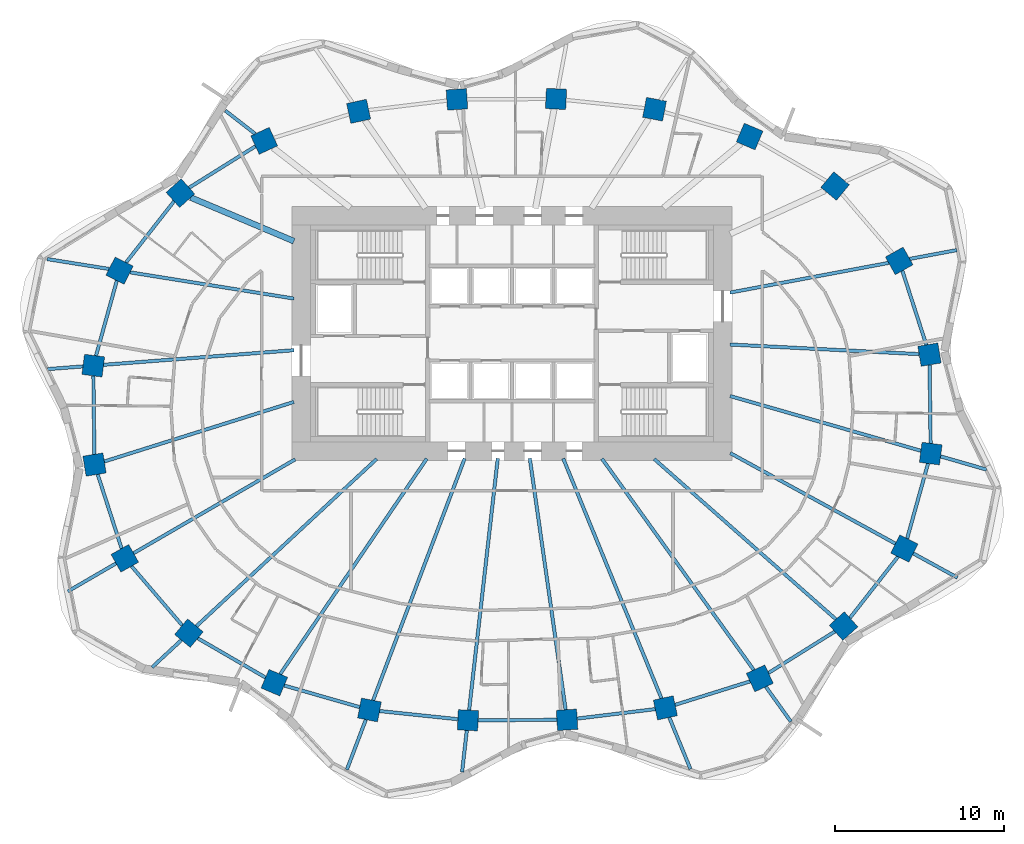
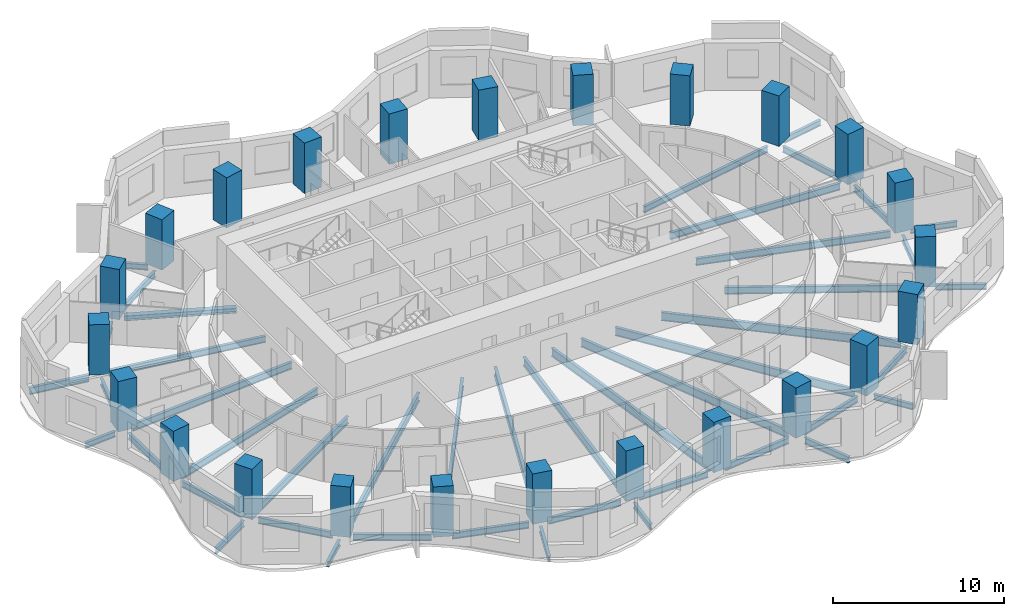
# One storey, part 1 of 10: 46 beams, 24 columns.
"""IFC4 building model written with IfcOpenShell, lengths in metres."""

from ifc_helpers import new_model, si_unit, direction, frame, origin, origin_2d, place, context, subcontext, project, spatial, rectangle, i_section, extrude, material, material_profile, profile_set, type_object, element, save


model = new_model("IFC4")

# Units and contexts
model_context = context("Model", 3, precision=1e-05, world=origin(), true_north=direction((0.0, 1.0)))
body_context = subcontext(model_context, "Body", "Model", "MODEL_VIEW")
ifc_project = project(units=[si_unit("LENGTHUNIT", "METRE"), si_unit("AREAUNIT", "SQUARE_METRE"), si_unit("VOLUMEUNIT", "CUBIC_METRE"), si_unit("PLANEANGLEUNIT", "RADIAN"), si_unit("MASSUNIT", "GRAM", prefix="KILO")], contexts=[model_context])

# Site, building, storey
site_placement = place(None, origin())
site = spatial("IfcSite", under=ifc_project, at=site_placement, CompositionType="ELEMENT")
building_placement = place(site_placement, origin())
building = spatial("IfcBuilding", under=site, at=building_placement, Name="Rubra Terraces Tower", CompositionType="ELEMENT")
storey_placement = place(building_placement, frame((0.0, 0.0, 96.0)))
storey = spatial("IfcBuildingStorey", under=building, at=storey_placement, Name="L22", CompositionType="ELEMENT", Elevation=96.0)

# Columns
ifc_material_1 = material(Name="Concrete C60", Category="concrete")
ifc_material_profile_1 = material_profile(ifc_material_1, rectangle(XDim=1.199951171875, YDim=1.199951171875, at=origin_2d()), Name="RC 1200x1200")
ifc_profile_set_1 = profile_set([ifc_material_profile_1], Name="Concrete C60")
column_type = type_object("IfcColumnType", Name="RING COLUMN RC 1200x1200 C60", PredefinedType="COLUMN", material=ifc_profile_set_1)
for number, where, z_axis, x_axis, name in (
    (1, (24.6689453125, 3.248046875, 0.0), (0.0, 0.0, 1.0), (-0.161559167715, 0.986863027642, 0.0), "column-L22-ring-01"),
    (2, (22.87890625, 8.787109375, 0.0), (0.0, 0.0, 1.0), (-0.48852601316, 0.872549330678, 0.0), "column-L22-ring-02"),
    (3, (19.092041015625, 13.208984375, 0.0), (0.0, 0.0, 1.0), (-0.76886986222, 0.63940529789, 0.0), "column-L22-ring-03"),
    (4, (14.0419921875, 16.135986328125, 0.0), (0.0, 0.0, 1.0), (-0.920167856842, 0.391524092789, 0.0), "column-L22-ring-04"),
    (5, (8.422119140625, 17.7490234375, 0.0), (0.0, 0.0, 1.0), (-0.981654668733, 0.19066754143, 0.0), "column-L22-ring-05"),
    (6, (2.60205078125, 18.35791015625, 0.0), (0.0, 0.0, 1.0), (-0.998764256028, 0.049698700995, 0.0), "column-L22-ring-06"),
    (7, (-3.25390625, 18.330078125, 0.0), (0.0, 0.0, 1.0), (-0.998031548759, -0.062713855578, 0.0), "column-L22-ring-07"),
    (8, (-9.06298828125, 17.625, 0.0), (0.0, 0.0, 1.0), (-0.977652674797, -0.210226657352, 0.0), "column-L22-ring-08"),
    (9, (-14.64306640625, 15.881103515625, 0.0), (0.0, 0.0, 1.0), (-0.908778580451, -0.417278673927, 0.0), "column-L22-ring-09"),
    (10, (-19.593017578125, 12.7900390625, 0.0), (0.0, 0.0, 1.0), (-0.744021317198, -0.668155879683, 0.0), "column-L22-ring-10"),
    (11, (-23.18505859375, 8.2099609375, 0.0), (0.0, 0.0, 1.0), (-0.451027931402, -0.892509834733, 0.0), "column-L22-ring-11"),
    (12, (-24.742919921875, 2.59912109375, 0.0), (0.0, 0.0, 1.0), (-0.128443684554, -0.991716804283, 0.0), "column-L22-ring-12"),
    (13, (-24.6689453125, -3.248046875, 0.0), (0.0, 0.0, 1.0), (0.161559167715, -0.986863027642, 0.0), "column-L22-ring-13"),
    (14, (-22.87890625, -8.787109375, 0.0), (0.0, 0.0, 1.0), (0.48852601316, -0.872549330678, 0.0), "column-L22-ring-14"),
    (15, (-19.092041015625, -13.208984375, 0.0), (0.0, 0.0, 1.0), (0.76886986222, -0.63940529789, 0.0), "column-L22-ring-15"),
    (16, (-14.0419921875, -16.135986328125, 0.0), (0.0, 0.0, 1.0), (0.920167856842, -0.391524092789, 0.0), "column-L22-ring-16"),
    (17, (-8.422119140625, -17.7490234375, 0.0), (0.0, 0.0, 1.0), (0.981654668733, -0.19066754143, 0.0), "column-L22-ring-17"),
    (18, (-2.60205078125, -18.35791015625, 0.0), (0.0, 0.0, 1.0), (0.998764256028, -0.049698700995, 0.0), "column-L22-ring-18"),
    (19, (3.25390625, -18.330078125, 0.0), (0.0, 0.0, 1.0), (0.998031548759, 0.062713855578, 0.0), "column-L22-ring-19"),
    (20, (9.06298828125, -17.625, 0.0), (0.0, 0.0, 1.0), (0.977652674797, 0.210226657352, 0.0), "column-L22-ring-20"),
    (21, (14.64306640625, -15.881103515625, 0.0), (0.0, 0.0, 1.0), (0.908778580451, 0.417278673927, 0.0), "column-L22-ring-21"),
    (22, (19.593017578125, -12.7900390625, 0.0), (0.0, 0.0, 1.0), (0.744021317198, 0.668155879683, 0.0), "column-L22-ring-22"),
    (23, (23.18505859375, -8.2099609375, 0.0), (0.0, 0.0, 1.0), (0.451027931402, 0.892509834733, 0.0), "column-L22-ring-23"),
    (24, (24.742919921875, -2.59912109375, 0.0), (0.0, 0.0, 1.0), (0.128443684554, 0.991716804283, 0.0), "column-L22-ring-24"),
):
    element("IfcColumn", number, at=place(storey_placement, frame(where, z_axis=z_axis, x_axis=x_axis)), inside=storey, type_object=column_type, Name=name, PredefinedType="COLUMN", context=body_context, shape_type="SweptSolid", body=[
        extrude(rectangle(XDim=1.199951171875, YDim=1.199951171875, at=origin_2d()), origin(), (0.0, 0.0, 1.0), 3.60009765625),
    ])

# Beams
ifc_material_2 = material(Name="Steel Q355B", Category="steel")
ifc_material_profile_2 = material_profile(ifc_material_2, i_section(OverallWidth=0.199951171875, OverallDepth=0.39990234375, WebThickness=0.008056640625, FlangeThickness=0.012939453125, at=origin_2d()), Name="HN 400x200x8x13")
ifc_profile_set_2 = profile_set([ifc_material_profile_2], Name="Steel Q355B")
beam_type_1 = type_object("IfcBeamType", Name="CANTILEVER BEAM HN 400x200x8x13", PredefinedType="BEAM", material=ifc_profile_set_2)
beam_1_placement = place(storey_placement, frame((23.5009765625, 8.904052734375, -0.39990234375), z_axis=(0.982900503659, 0.184137448407, 0.0), x_axis=(-0.184137448407, 0.982900503659, 0.0)))
element("IfcBeam", 25, at=beam_1_placement, inside=storey, type_object=beam_type_1, Name="beam-L22-cant-02", PredefinedType="BEAM", context=body_context, shape_type="SweptSolid", body=[
    extrude(i_section(OverallWidth=0.199951171875, OverallDepth=0.39990234375, WebThickness=0.008056640625, FlangeThickness=0.012939453125, at=origin_2d()), origin(), (0.0, 0.0, 1.0), 2.829345703125),
])
beam_2_placement = place(storey_placement, frame((-15.177001953125, 16.2958984375, -0.39990234375), z_axis=(-0.789558697971, 0.613675046306, 0.0), x_axis=(-0.613675046306, -0.789558697971, 0.0)))
element("IfcBeam", 26, at=beam_2_placement, inside=storey, type_object=beam_type_1, Name="beam-L22-cant-09", PredefinedType="BEAM", context=body_context, shape_type="SweptSolid", body=[
    extrude(i_section(OverallWidth=0.199951171875, OverallDepth=0.39990234375, WebThickness=0.008056640625, FlangeThickness=0.012939453125, at=origin_2d()), origin(), (0.0, 0.0, 1.0), 2.227783203125),
])
beam_3_placement = place(storey_placement, frame((-25.35400390625, 2.552001953125, -0.39990234375), z_axis=(-0.997081005005, -0.076350962387, 0.0), x_axis=(0.076350962387, -0.997081005005, 0.0)))
element("IfcBeam", 27, at=beam_3_placement, inside=storey, type_object=beam_type_1, Name="beam-L22-cant-12", PredefinedType="BEAM", context=body_context, shape_type="SweptSolid", body=[
    extrude(i_section(OverallWidth=0.199951171875, OverallDepth=0.39990234375, WebThickness=0.008056640625, FlangeThickness=0.012939453125, at=origin_2d()), origin(), (0.0, 0.0, 1.0), 2.107177734375),
])
beam_4_placement = place(storey_placement, frame((-19.535888671875, -13.6201171875, -0.39990234375), z_axis=(-0.733024491169, -0.680202245914, 0.0), x_axis=(0.680202245914, -0.733024491169, 0.0)))
element("IfcBeam", 28, at=beam_4_placement, inside=storey, type_object=beam_type_1, Name="beam-L22-cant-15", PredefinedType="BEAM", context=body_context, shape_type="SweptSolid", body=[
    extrude(i_section(OverallWidth=0.199951171875, OverallDepth=0.39990234375, WebThickness=0.008056640625, FlangeThickness=0.012939453125, at=origin_2d()), origin(), (0.0, 0.0, 1.0), 2.37109375),
])
beam_5_placement = place(storey_placement, frame((-8.637939453125, -18.318115234375, -0.39990234375), z_axis=(-0.353924982786, -0.935273813682, 0.0), x_axis=(0.935273813682, -0.353924982786, 0.0)))
element("IfcBeam", 29, at=beam_5_placement, inside=storey, type_object=beam_type_1, Name="beam-L22-cant-17", PredefinedType="BEAM", context=body_context, shape_type="SweptSolid", body=[
    extrude(i_section(OverallWidth=0.199951171875, OverallDepth=0.39990234375, WebThickness=0.008056640625, FlangeThickness=0.012939453125, at=origin_2d()), origin(), (0.0, 0.0, 1.0), 3.159423828125),
])
beam_6_placement = place(storey_placement, frame((-2.669921875, -18.955078125, -0.39990234375), z_axis=(-0.112971566193, -0.99359822123, 0.0), x_axis=(0.99359822123, -0.112971566193, 0.0)))
element("IfcBeam", 30, at=beam_6_placement, inside=storey, type_object=beam_type_1, Name="beam-L22-cant-18", PredefinedType="BEAM", context=body_context, shape_type="SweptSolid", body=[
    extrude(i_section(OverallWidth=0.199951171875, OverallDepth=0.39990234375, WebThickness=0.008056640625, FlangeThickness=0.012939453125, at=origin_2d()), origin(), (0.0, 0.0, 1.0), 2.478759765625),
])
beam_7_placement = place(storey_placement, frame((15.0, -16.376953125, -0.39990234375), z_axis=(0.583425401371, -0.812166732288, 0.0), x_axis=(0.812166732288, 0.583425401371, 0.0)))
element("IfcBeam", 31, at=beam_7_placement, inside=storey, type_object=beam_type_1, Name="beam-L22-cant-21", PredefinedType="BEAM", context=body_context, shape_type="SweptSolid", body=[
    extrude(i_section(OverallWidth=0.199951171875, OverallDepth=0.39990234375, WebThickness=0.008056640625, FlangeThickness=0.012939453125, at=origin_2d()), origin(), (0.0, 0.0, 1.0), 2.53173828125),
])
beam_8_placement = place(storey_placement, frame((23.7109375, -8.4990234375, -0.39990234375), z_axis=(0.876950651009, -0.480580436238, 0.0), x_axis=(0.480580436238, 0.876950651009, 0.0)))
element("IfcBeam", 32, at=beam_8_placement, inside=storey, type_object=beam_type_1, Name="beam-L22-cant-23", PredefinedType="BEAM", context=body_context, shape_type="SweptSolid", body=[
    extrude(i_section(OverallWidth=0.199951171875, OverallDepth=0.39990234375, WebThickness=0.008056640625, FlangeThickness=0.012939453125, at=origin_2d()), origin(), (0.0, 0.0, 1.0), 2.9775390625),
])
beam_9_placement = place(storey_placement, frame((25.325927734375, -2.76611328125, -0.39990234375), z_axis=(0.961210097917, -0.275817235977, 0.0), x_axis=(0.275817235977, 0.961210097917, 0.0)))
element("IfcBeam", 33, at=beam_9_placement, inside=storey, type_object=beam_type_1, Name="beam-L22-cant-24", PredefinedType="BEAM", context=body_context, shape_type="SweptSolid", body=[
    extrude(i_section(OverallWidth=0.199951171875, OverallDepth=0.39990234375, WebThickness=0.008056640625, FlangeThickness=0.012939453125, at=origin_2d()), origin(), (0.0, 0.0, 1.0), 2.82373046875),
])
ifc_material_profile_3 = material_profile(ifc_material_2, i_section(OverallWidth=0.198974609375, OverallDepth=0.446044921875, WebThickness=0.008056640625, FlangeThickness=0.011962890625, at=origin_2d()), Name="HN 446x199x8x12")
ifc_profile_set_3 = profile_set([ifc_material_profile_3], Name="Steel Q355B")
beam_type_2 = type_object("IfcBeamType", Name="CANTILEVER BEAM HN 446x199x8x12", PredefinedType="BEAM", material=ifc_profile_set_3)
beam_10_placement = place(storey_placement, frame((-23.39794921875, -9.087890625, -0.423095703125), z_axis=(-0.86464262301, -0.50238743463, 0.0), x_axis=(0.50238743463, -0.86464262301, 0.0)))
element("IfcBeam", 34, at=beam_10_placement, inside=storey, type_object=beam_type_2, Name="beam-L22-cant-14", PredefinedType="BEAM", context=body_context, shape_type="SweptSolid", body=[
    extrude(i_section(OverallWidth=0.198974609375, OverallDepth=0.446044921875, WebThickness=0.008056640625, FlangeThickness=0.011962890625, at=origin_2d()), origin(), (0.0, 0.0, 1.0), 3.29638671875),
])
beam_11_placement = place(storey_placement, frame((9.2939453125, -18.18896484375, -0.423095703125), z_axis=(0.379126606242, -0.925344809484, 0.0), x_axis=(0.925344809484, 0.379126606242, 0.0)))
element("IfcBeam", 35, at=beam_11_placement, inside=storey, type_object=beam_type_2, Name="beam-L22-cant-20", PredefinedType="BEAM", context=body_context, shape_type="SweptSolid", body=[
    extrude(i_section(OverallWidth=0.198974609375, OverallDepth=0.446044921875, WebThickness=0.008056640625, FlangeThickness=0.011962890625, at=origin_2d()), origin(), (0.0, 0.0, 1.0), 3.2919921875),
])
ifc_material_profile_4 = material_profile(ifc_material_2, i_section(OverallWidth=0.198974609375, OverallDepth=0.49609375, WebThickness=0.009033203125, FlangeThickness=0.013916015625, at=origin_2d()), Name="HN 496x199x9x14")
ifc_profile_set_4 = profile_set([ifc_material_profile_4], Name="Steel Q355B")
beam_type_3 = type_object("IfcBeamType", Name="CANTILEVER BEAM HN 496x199x9x14", PredefinedType="BEAM", material=ifc_profile_set_4)
beam_12_placement = place(storey_placement, frame((-23.806884765625, 8.31005859375, -0.447998046875), z_axis=(-0.987475125266, 0.157774766614, 0.0), x_axis=(-0.157774766614, -0.987475125266, 0.0)))
element("IfcBeam", 36, at=beam_12_placement, inside=storey, type_object=beam_type_3, Name="beam-L22-cant-11", PredefinedType="BEAM", context=body_context, shape_type="SweptSolid", body=[
    extrude(i_section(OverallWidth=0.198974609375, OverallDepth=0.49609375, WebThickness=0.009033203125, FlangeThickness=0.013916015625, at=origin_2d()), origin(), (0.0, 0.0, 1.0), 3.70751953125),
])
ifc_material_profile_5 = material_profile(ifc_material_2, i_section(OverallWidth=0.198974609375, OverallDepth=0.446044921875, WebThickness=0.008056640625, FlangeThickness=0.011962890625, at=origin_2d()), Name="HN 446x199x8x12")
ifc_profile_set_5 = profile_set([ifc_material_profile_5], Name="Steel Q355B")
beam_type_4 = type_object("IfcBeamType", Name="FLOOR BEAM HN 446x199x8x12", PredefinedType="BEAM", material=ifc_profile_set_5)
beam_13_placement = place(storey_placement, frame((22.257080078125, 8.669921875, -0.423095703125), z_axis=(-0.982909257943, -0.184090713102, 0.0), x_axis=(0.184090713102, -0.982909257943, 0.0)))
element("IfcBeam", 37, at=beam_13_placement, inside=storey, type_object=beam_type_4, Name="beam-L22-floor-02", PredefinedType="BEAM", context=body_context, shape_type="SweptSolid", body=[
    extrude(i_section(OverallWidth=0.198974609375, OverallDepth=0.446044921875, WebThickness=0.008056640625, FlangeThickness=0.011962890625, at=origin_2d()), origin(), (0.0, 0.0, 1.0), 9.5380859375),
])
beam_14_placement = place(storey_placement, frame((-22.56298828125, 8.110107421875, -0.423095703125), z_axis=(0.987438611706, -0.158003126908, 0.0), x_axis=(0.158003126908, 0.987438611706, 0.0)))
element("IfcBeam", 38, at=beam_14_placement, inside=storey, type_object=beam_type_4, Name="beam-L22-floor-11", PredefinedType="BEAM", context=body_context, shape_type="SweptSolid", body=[
    extrude(i_section(OverallWidth=0.198974609375, OverallDepth=0.446044921875, WebThickness=0.008056640625, FlangeThickness=0.011962890625, at=origin_2d()), origin(), (0.0, 0.0, 1.0), 9.803955078125),
])
ifc_material_profile_6 = material_profile(ifc_material_2, i_section(OverallWidth=0.198974609375, OverallDepth=0.49609375, WebThickness=0.009033203125, FlangeThickness=0.013916015625, at=origin_2d()), Name="HN 496x199x9x14")
ifc_profile_set_6 = profile_set([ifc_material_profile_6], Name="Steel Q355B")
beam_type_5 = type_object("IfcBeamType", Name="FLOOR BEAM HN 496x199x9x14", PredefinedType="BEAM", material=ifc_profile_set_6)
beam_15_placement = place(storey_placement, frame((24.055908203125, 3.279052734375, -0.447998046875), z_axis=(-0.998716006853, 0.050659033312, 0.0), x_axis=(-0.050659033312, -0.998716006853, 0.0)))
element("IfcBeam", 39, at=beam_15_placement, inside=storey, type_object=beam_type_5, Name="beam-L22-floor-01", PredefinedType="BEAM", context=body_context, shape_type="SweptSolid", body=[
    extrude(i_section(OverallWidth=0.198974609375, OverallDepth=0.49609375, WebThickness=0.009033203125, FlangeThickness=0.013916015625, at=origin_2d()), origin(), (0.0, 0.0, 1.0), 11.1904296875),
])
beam_16_placement = place(storey_placement, frame((-24.132080078125, 2.64599609375, -0.447998046875), z_axis=(0.99706491124, 0.076560843604, 0.0), x_axis=(-0.076560843604, 0.99706491124, 0.0)))
element("IfcBeam", 40, at=beam_16_placement, inside=storey, type_object=beam_type_5, Name="beam-L22-floor-12", PredefinedType="BEAM", context=body_context, shape_type="SweptSolid", body=[
    extrude(i_section(OverallWidth=0.198974609375, OverallDepth=0.49609375, WebThickness=0.009033203125, FlangeThickness=0.013916015625, at=origin_2d()), origin(), (0.0, 0.0, 1.0), 11.285400390625),
])
beam_17_placement = place(storey_placement, frame((-24.091064453125, -3.06591796875, -0.447998046875), z_axis=(0.954061815263, 0.299609834046, 0.0), x_axis=(-0.299609834046, 0.954061815263, 0.0)))
element("IfcBeam", 41, at=beam_17_placement, inside=storey, type_object=beam_type_5, Name="beam-L22-floor-13", PredefinedType="BEAM", context=body_context, shape_type="SweptSolid", body=[
    extrude(i_section(OverallWidth=0.198974609375, OverallDepth=0.49609375, WebThickness=0.009033203125, FlangeThickness=0.013916015625, at=origin_2d()), origin(), (0.0, 0.0, 1.0), 11.74462890625),
])
beam_18_placement = place(storey_placement, frame((-22.360107421875, -8.486083984375, -0.447998046875), z_axis=(0.864729170152, 0.502238451623, 0.0), x_axis=(-0.502238451623, 0.864729170152, 0.0)))
element("IfcBeam", 42, at=beam_18_placement, inside=storey, type_object=beam_type_5, Name="beam-L22-floor-14", PredefinedType="BEAM", context=body_context, shape_type="SweptSolid", body=[
    extrude(i_section(OverallWidth=0.198974609375, OverallDepth=0.49609375, WebThickness=0.009033203125, FlangeThickness=0.013916015625, at=origin_2d()), origin(), (0.0, 0.0, 1.0), 11.04296875),
])
beam_19_placement = place(storey_placement, frame((22.658935546875, -7.9208984375, -0.447998046875), z_axis=(-0.876910796921, 0.480653153785, 0.0), x_axis=(-0.480653153785, -0.876910796921, 0.0)))
element("IfcBeam", 43, at=beam_19_placement, inside=storey, type_object=beam_type_5, Name="beam-L22-floor-23", PredefinedType="BEAM", context=body_context, shape_type="SweptSolid", body=[
    extrude(i_section(OverallWidth=0.198974609375, OverallDepth=0.49609375, WebThickness=0.009033203125, FlangeThickness=0.013916015625, at=origin_2d()), origin(), (0.0, 0.0, 1.0), 11.134521484375),
])
beam_20_placement = place(storey_placement, frame((24.159912109375, -2.431884765625, -0.447998046875), z_axis=(-0.9612201884, 0.275782068691, 0.0), x_axis=(-0.275782068691, -0.9612201884, 0.0)))
element("IfcBeam", 44, at=beam_20_placement, inside=storey, type_object=beam_type_5, Name="beam-L22-floor-24", PredefinedType="BEAM", context=body_context, shape_type="SweptSolid", body=[
    extrude(i_section(OverallWidth=0.198974609375, OverallDepth=0.49609375, WebThickness=0.009033203125, FlangeThickness=0.013916015625, at=origin_2d()), origin(), (0.0, 0.0, 1.0), 11.729736328125),
])
ifc_material_profile_7 = material_profile(ifc_material_2, i_section(OverallWidth=0.198974609375, OverallDepth=0.595947265625, WebThickness=0.010009765625, FlangeThickness=0.014892578125, at=origin_2d()), Name="HN 596x199x10x15")
ifc_profile_set_7 = profile_set([ifc_material_profile_7], Name="Steel Q355B")
beam_type_6 = type_object("IfcBeamType", Name="FLOOR BEAM HN 596x199x10x15", PredefinedType="BEAM", material=ifc_profile_set_7)
beam_21_placement = place(storey_placement, frame((-18.64794921875, -12.798095703125, -0.498046875), z_axis=(0.733104668463, 0.680115832104, 0.0), x_axis=(-0.680115832104, 0.733104668463, 0.0)))
element("IfcBeam", 45, at=beam_21_placement, inside=storey, type_object=beam_type_6, Name="beam-L22-floor-15", PredefinedType="BEAM", context=body_context, shape_type="SweptSolid", body=[
    extrude(i_section(OverallWidth=0.198974609375, OverallDepth=0.595947265625, WebThickness=0.010009765625, FlangeThickness=0.014892578125, at=origin_2d()), origin(), (0.0, 0.0, 1.0), 14.527099609375),
])
beam_22_placement = place(storey_placement, frame((-13.697998046875, -15.6298828125, -0.498046875), z_axis=(0.562593638313, 0.82673357143, 0.0), x_axis=(-0.82673357143, 0.562593638313, 0.0)))
element("IfcBeam", 46, at=beam_22_placement, inside=storey, type_object=beam_type_6, Name="beam-L22-floor-16", PredefinedType="BEAM", context=body_context, shape_type="SweptSolid", body=[
    extrude(i_section(OverallWidth=0.198974609375, OverallDepth=0.595947265625, WebThickness=0.010009765625, FlangeThickness=0.014892578125, at=origin_2d()), origin(), (0.0, 0.0, 1.0), 15.396728515625),
])
beam_23_placement = place(storey_placement, frame((-8.2060546875, -17.179931640625, -0.498046875), z_axis=(0.35395819717, 0.935261244068, 0.0), x_axis=(-0.935261244068, 0.35395819717, 0.0)))
element("IfcBeam", 47, at=beam_23_placement, inside=storey, type_object=beam_type_6, Name="beam-L22-floor-17", PredefinedType="BEAM", context=body_context, shape_type="SweptSolid", body=[
    extrude(i_section(OverallWidth=0.198974609375, OverallDepth=0.595947265625, WebThickness=0.010009765625, FlangeThickness=0.014892578125, at=origin_2d()), origin(), (0.0, 0.0, 1.0), 15.28125),
])
beam_24_placement = place(storey_placement, frame((-2.533935546875, -17.760986328125, -0.498046875), z_axis=(0.113104280783, 0.993583122677, 0.0), x_axis=(-0.993583122677, 0.113104280783, 0.0)))
element("IfcBeam", 48, at=beam_24_placement, inside=storey, type_object=beam_type_6, Name="beam-L22-floor-18", PredefinedType="BEAM", context=body_context, shape_type="SweptSolid", body=[
    extrude(i_section(OverallWidth=0.198974609375, OverallDepth=0.595947265625, WebThickness=0.010009765625, FlangeThickness=0.014892578125, at=origin_2d()), origin(), (0.0, 0.0, 1.0), 14.97607421875),
])
beam_25_placement = place(storey_placement, frame((3.1689453125, -17.73388671875, -0.498046875), z_axis=(-0.141102399867, 0.989995006428, 0.0), x_axis=(-0.989995006428, -0.141102399867, 0.0)))
element("IfcBeam", 49, at=beam_25_placement, inside=storey, type_object=beam_type_6, Name="beam-L22-floor-19", PredefinedType="BEAM", context=body_context, shape_type="SweptSolid", body=[
    extrude(i_section(OverallWidth=0.198974609375, OverallDepth=0.595947265625, WebThickness=0.010009765625, FlangeThickness=0.014892578125, at=origin_2d()), origin(), (0.0, 0.0, 1.0), 15.0029296875),
])
beam_26_placement = place(storey_placement, frame((8.83203125, -17.06103515625, -0.498046875), z_axis=(-0.379038143634, 0.925381048904, 0.0), x_axis=(-0.925381048904, -0.379038143634, 0.0)))
element("IfcBeam", 50, at=beam_26_placement, inside=storey, type_object=beam_type_6, Name="beam-L22-floor-20", PredefinedType="BEAM", context=body_context, shape_type="SweptSolid", body=[
    extrude(i_section(OverallWidth=0.198974609375, OverallDepth=0.595947265625, WebThickness=0.010009765625, FlangeThickness=0.014892578125, at=origin_2d()), origin(), (0.0, 0.0, 1.0), 15.31494140625),
])
beam_27_placement = place(storey_placement, frame((14.285888671875, -15.385009765625, -0.498046875), z_axis=(-0.583480892091, 0.812126867284, 0.0), x_axis=(-0.812126867284, -0.583480892091, 0.0)))
element("IfcBeam", 51, at=beam_27_placement, inside=storey, type_object=beam_type_6, Name="beam-L22-floor-21", PredefinedType="BEAM", context=body_context, shape_type="SweptSolid", body=[
    extrude(i_section(OverallWidth=0.198974609375, OverallDepth=0.595947265625, WebThickness=0.010009765625, FlangeThickness=0.014892578125, at=origin_2d()), origin(), (0.0, 0.0, 1.0), 15.369384765625),
])
beam_28_placement = place(storey_placement, frame((19.139892578125, -12.389892578125, -0.498046875), z_axis=(-0.749820430817, 0.661641384384, 0.0), x_axis=(-0.661641384384, -0.749820430817, 0.0)))
element("IfcBeam", 52, at=beam_28_placement, inside=storey, type_object=beam_type_6, Name="beam-L22-floor-22", PredefinedType="BEAM", context=body_context, shape_type="SweptSolid", body=[
    extrude(i_section(OverallWidth=0.198974609375, OverallDepth=0.595947265625, WebThickness=0.010009765625, FlangeThickness=0.014892578125, at=origin_2d()), origin(), (0.0, 0.0, 1.0), 14.311279296875),
])
ifc_material_profile_8 = material_profile(ifc_material_2, i_section(OverallWidth=0.35009765625, OverallDepth=0.35009765625, WebThickness=0.011962890625, FlangeThickness=0.01904296875, at=origin_2d()), Name="HW 350x350x12x19")
ifc_profile_set_8 = profile_set([ifc_material_profile_8], Name="Steel Q355B")
beam_type_7 = type_object("IfcBeamType", Name="FLOOR BEAM HW 350x350x12x19", PredefinedType="BEAM", material=ifc_profile_set_8)
beam_29_placement = place(storey_placement, frame((-18.98291015625, 12.531982421875, -0.375), z_axis=(0.920986092, -0.389595454726, 0.0), x_axis=(0.389595454726, 0.920986092, 0.0)))
element("IfcBeam", 53, at=beam_29_placement, inside=storey, type_object=beam_type_7, Name="beam-L22-floor-10", PredefinedType="BEAM", context=body_context, shape_type="SweptSolid", body=[
    extrude(i_section(OverallWidth=0.35009765625, OverallDepth=0.35009765625, WebThickness=0.011962890625, FlangeThickness=0.01904296875, at=origin_2d()), origin(), (0.0, 0.0, 1.0), 6.61669921875),
])
ifc_material_profile_9 = material_profile(ifc_material_2, i_section(OverallWidth=0.198974609375, OverallDepth=0.446044921875, WebThickness=0.008056640625, FlangeThickness=0.011962890625, at=origin_2d()), Name="HN 446x199x8x12")
ifc_profile_set_9 = profile_set([ifc_material_profile_9], Name="Steel Q355B")
beam_type_8 = type_object("IfcBeamType", Name="SPANDREL BEAM HN 446x199x8x12", PredefinedType="SPANDREL", material=ifc_profile_set_9)
beam_30_placement = place(storey_placement, frame((24.48193359375, 3.824951171875, -0.423095703125), z_axis=(-0.307414966872, 0.951575555667, 0.0), x_axis=(-0.951575555667, -0.307414966872, 0.0)))
element("IfcBeam", 54, at=beam_30_placement, inside=storey, type_object=beam_type_8, Name="beam-L22-spandrel-01", PredefinedType="SPANDREL", context=body_context, shape_type="SweptSolid", body=[
    extrude(i_section(OverallWidth=0.198974609375, OverallDepth=0.446044921875, WebThickness=0.008056640625, FlangeThickness=0.011962890625, at=origin_2d()), origin(), (0.0, 0.0, 1.0), 4.60302734375),
])
beam_31_placement = place(storey_placement, frame((-15.156005859375, 15.56103515625, -0.423095703125), z_axis=(-0.848188188849, -0.529695003089, 0.0), x_axis=(0.529695003089, -0.848188188849, 0.0)))
element("IfcBeam", 55, at=beam_31_placement, inside=storey, type_object=beam_type_8, Name="beam-L22-spandrel-09", PredefinedType="SPANDREL", context=body_context, shape_type="SweptSolid", body=[
    extrude(i_section(OverallWidth=0.198974609375, OverallDepth=0.446044921875, WebThickness=0.008056640625, FlangeThickness=0.011962890625, at=origin_2d()), origin(), (0.0, 0.0, 1.0), 4.62158203125),
])
beam_32_placement = place(storey_placement, frame((-19.968994140625, 12.31103515625, -0.423095703125), z_axis=(-0.61694919408, -0.787002980886, 0.0), x_axis=(0.787002980886, -0.61694919408, 0.0)))
element("IfcBeam", 56, at=beam_32_placement, inside=storey, type_object=beam_type_8, Name="beam-L22-spandrel-10", PredefinedType="SPANDREL", context=body_context, shape_type="SweptSolid", body=[
    extrude(i_section(OverallWidth=0.198974609375, OverallDepth=0.446044921875, WebThickness=0.008056640625, FlangeThickness=0.011962890625, at=origin_2d()), origin(), (0.0, 0.0, 1.0), 4.599853515625),
])
beam_33_placement = place(storey_placement, frame((-23.34912109375, 7.6201171875, -0.423095703125), z_axis=(-0.26752901479, -0.963549804756, 0.0), x_axis=(0.963549804756, -0.26752901479, 0.0)))
element("IfcBeam", 57, at=beam_33_placement, inside=storey, type_object=beam_type_8, Name="beam-L22-spandrel-11", PredefinedType="SPANDREL", context=body_context, shape_type="SweptSolid", body=[
    extrude(i_section(OverallWidth=0.198974609375, OverallDepth=0.446044921875, WebThickness=0.008056640625, FlangeThickness=0.011962890625, at=origin_2d()), origin(), (0.0, 0.0, 1.0), 4.60498046875),
])
beam_34_placement = place(storey_placement, frame((-24.735107421875, 1.992919921875, -0.423095703125), z_axis=(0.012537869063, -0.999921397831, 0.0), x_axis=(0.999921397831, 0.012537869063, 0.0)))
element("IfcBeam", 58, at=beam_34_placement, inside=storey, type_object=beam_type_8, Name="beam-L22-spandrel-12", PredefinedType="SPANDREL", context=body_context, shape_type="SweptSolid", body=[
    extrude(i_section(OverallWidth=0.198974609375, OverallDepth=0.446044921875, WebThickness=0.008056640625, FlangeThickness=0.011962890625, at=origin_2d()), origin(), (0.0, 0.0, 1.0), 4.63427734375),
])
beam_35_placement = place(storey_placement, frame((-24.48193359375, -3.824951171875, -0.423095703125), z_axis=(0.307414966872, -0.951575555667, 0.0), x_axis=(0.951575555667, 0.307414966872, 0.0)))
element("IfcBeam", 59, at=beam_35_placement, inside=storey, type_object=beam_type_8, Name="beam-L22-spandrel-13", PredefinedType="SPANDREL", context=body_context, shape_type="SweptSolid", body=[
    extrude(i_section(OverallWidth=0.198974609375, OverallDepth=0.446044921875, WebThickness=0.008056640625, FlangeThickness=0.011962890625, at=origin_2d()), origin(), (0.0, 0.0, 1.0), 4.60302734375),
])
beam_36_placement = place(storey_placement, frame((-22.48095703125, -9.251953125, -0.423095703125), z_axis=(0.650428637413, -0.759567368726, 0.0), x_axis=(0.759567368726, 0.650428637413, 0.0)))
element("IfcBeam", 60, at=beam_36_placement, inside=storey, type_object=beam_type_8, Name="beam-L22-spandrel-14", PredefinedType="SPANDREL", context=body_context, shape_type="SweptSolid", body=[
    extrude(i_section(OverallWidth=0.198974609375, OverallDepth=0.446044921875, WebThickness=0.008056640625, FlangeThickness=0.011962890625, at=origin_2d()), origin(), (0.0, 0.0, 1.0), 4.6015625),
])
beam_37_placement = place(storey_placement, frame((-18.56494140625, -13.513916015625, -0.423095703125), z_axis=(0.865116425734, -0.501571101565, 0.0), x_axis=(0.501571101565, 0.865116425734, 0.0)))
element("IfcBeam", 61, at=beam_37_placement, inside=storey, type_object=beam_type_8, Name="beam-L22-spandrel-15", PredefinedType="SPANDREL", context=body_context, shape_type="SweptSolid", body=[
    extrude(i_section(OverallWidth=0.198974609375, OverallDepth=0.446044921875, WebThickness=0.008056640625, FlangeThickness=0.011962890625, at=origin_2d()), origin(), (0.0, 0.0, 1.0), 4.62353515625),
])
beam_38_placement = place(storey_placement, frame((-13.4609375, -16.302978515625, -0.423095703125), z_axis=(0.961195652649, -0.275867572085, 0.0), x_axis=(0.275867572085, 0.961195652649, 0.0)))
element("IfcBeam", 62, at=beam_38_placement, inside=storey, type_object=beam_type_8, Name="beam-L22-spandrel-16", PredefinedType="SPANDREL", context=body_context, shape_type="SweptSolid", body=[
    extrude(i_section(OverallWidth=0.198974609375, OverallDepth=0.446044921875, WebThickness=0.008056640625, FlangeThickness=0.011962890625, at=origin_2d()), origin(), (0.0, 0.0, 1.0), 4.639892578125),
])
beam_39_placement = place(storey_placement, frame((-7.822998046875, -17.81201171875, -0.423095703125), z_axis=(0.994588599148, -0.103891859374, 0.0), x_axis=(0.103891859374, 0.994588599148, 0.0)))
element("IfcBeam", 63, at=beam_39_placement, inside=storey, type_object=beam_type_8, Name="beam-L22-spandrel-17", PredefinedType="SPANDREL", context=body_context, shape_type="SweptSolid", body=[
    extrude(i_section(OverallWidth=0.198974609375, OverallDepth=0.446044921875, WebThickness=0.008056640625, FlangeThickness=0.011962890625, at=origin_2d()), origin(), (0.0, 0.0, 1.0), 4.648193359375),
])
beam_40_placement = place(storey_placement, frame((-2.0009765625, -18.35498046875, -0.423095703125), z_axis=(0.99998885538, 0.004721135025, 0.0), x_axis=(-0.004721135025, 0.99998885538, 0.0)))
element("IfcBeam", 64, at=beam_40_placement, inside=storey, type_object=beam_type_8, Name="beam-L22-spandrel-18", PredefinedType="SPANDREL", context=body_context, shape_type="SweptSolid", body=[
    extrude(i_section(OverallWidth=0.198974609375, OverallDepth=0.446044921875, WebThickness=0.008056640625, FlangeThickness=0.011962890625, at=origin_2d()), origin(), (0.0, 0.0, 1.0), 4.654052734375),
])
beam_41_placement = place(storey_placement, frame((3.85107421875, -18.258056640625, -0.423095703125), z_axis=(0.992713612833, 0.120497646851, 0.0), x_axis=(-0.120497646851, 0.992713612833, 0.0)))
element("IfcBeam", 65, at=beam_41_placement, inside=storey, type_object=beam_type_8, Name="beam-L22-spandrel-19", PredefinedType="SPANDREL", context=body_context, shape_type="SweptSolid", body=[
    extrude(i_section(OverallWidth=0.198974609375, OverallDepth=0.446044921875, WebThickness=0.008056640625, FlangeThickness=0.011962890625, at=origin_2d()), origin(), (0.0, 0.0, 1.0), 4.64794921875),
])
beam_42_placement = place(storey_placement, frame((9.637939453125, -17.445068359375, -0.423095703125), z_axis=(0.954462184919, 0.298331925142, 0.0), x_axis=(-0.298331925142, 0.954462184919, 0.0)))
element("IfcBeam", 66, at=beam_42_placement, inside=storey, type_object=beam_type_8, Name="beam-L22-spandrel-20", PredefinedType="SPANDREL", context=body_context, shape_type="SweptSolid", body=[
    extrude(i_section(OverallWidth=0.198974609375, OverallDepth=0.446044921875, WebThickness=0.008056640625, FlangeThickness=0.011962890625, at=origin_2d()), origin(), (0.0, 0.0, 1.0), 4.63916015625),
])
beam_43_placement = place(storey_placement, frame((15.156005859375, -15.56103515625, -0.423095703125), z_axis=(0.848188188849, 0.529695003089, 0.0), x_axis=(-0.529695003089, 0.848188188849, 0.0)))
element("IfcBeam", 67, at=beam_43_placement, inside=storey, type_object=beam_type_8, Name="beam-L22-spandrel-21", PredefinedType="SPANDREL", context=body_context, shape_type="SweptSolid", body=[
    extrude(i_section(OverallWidth=0.198974609375, OverallDepth=0.446044921875, WebThickness=0.008056640625, FlangeThickness=0.011962890625, at=origin_2d()), origin(), (0.0, 0.0, 1.0), 4.62158203125),
])
beam_44_placement = place(storey_placement, frame((19.968994140625, -12.31103515625, -0.423095703125), z_axis=(0.61694919408, 0.787002980886, 0.0), x_axis=(-0.787002980886, 0.61694919408, 0.0)))
element("IfcBeam", 68, at=beam_44_placement, inside=storey, type_object=beam_type_8, Name="beam-L22-spandrel-22", PredefinedType="SPANDREL", context=body_context, shape_type="SweptSolid", body=[
    extrude(i_section(OverallWidth=0.198974609375, OverallDepth=0.446044921875, WebThickness=0.008056640625, FlangeThickness=0.011962890625, at=origin_2d()), origin(), (0.0, 0.0, 1.0), 4.599853515625),
])
beam_45_placement = place(storey_placement, frame((23.34912109375, -7.6201171875, -0.423095703125), z_axis=(0.26752901479, 0.963549804756, 0.0), x_axis=(-0.963549804756, 0.26752901479, 0.0)))
element("IfcBeam", 69, at=beam_45_placement, inside=storey, type_object=beam_type_8, Name="beam-L22-spandrel-23", PredefinedType="SPANDREL", context=body_context, shape_type="SweptSolid", body=[
    extrude(i_section(OverallWidth=0.198974609375, OverallDepth=0.446044921875, WebThickness=0.008056640625, FlangeThickness=0.011962890625, at=origin_2d()), origin(), (0.0, 0.0, 1.0), 4.60498046875),
])
beam_46_placement = place(storey_placement, frame((24.735107421875, -1.992919921875, -0.423095703125), z_axis=(-0.012537869063, 0.999921397831, 0.0), x_axis=(-0.999921397831, -0.012537869063, 0.0)))
element("IfcBeam", 70, at=beam_46_placement, inside=storey, type_object=beam_type_8, Name="beam-L22-spandrel-24", PredefinedType="SPANDREL", context=body_context, shape_type="SweptSolid", body=[
    extrude(i_section(OverallWidth=0.198974609375, OverallDepth=0.446044921875, WebThickness=0.008056640625, FlangeThickness=0.011962890625, at=origin_2d()), origin(), (0.0, 0.0, 1.0), 4.63427734375),
])

save(model, "model.ifc")
